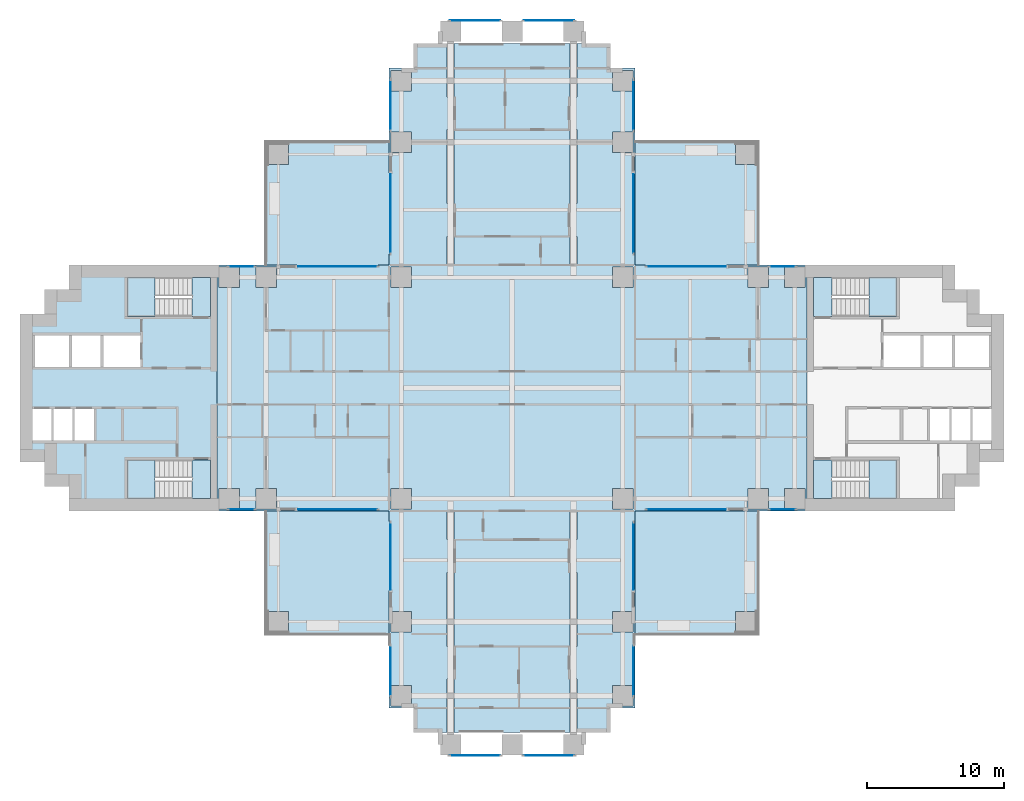
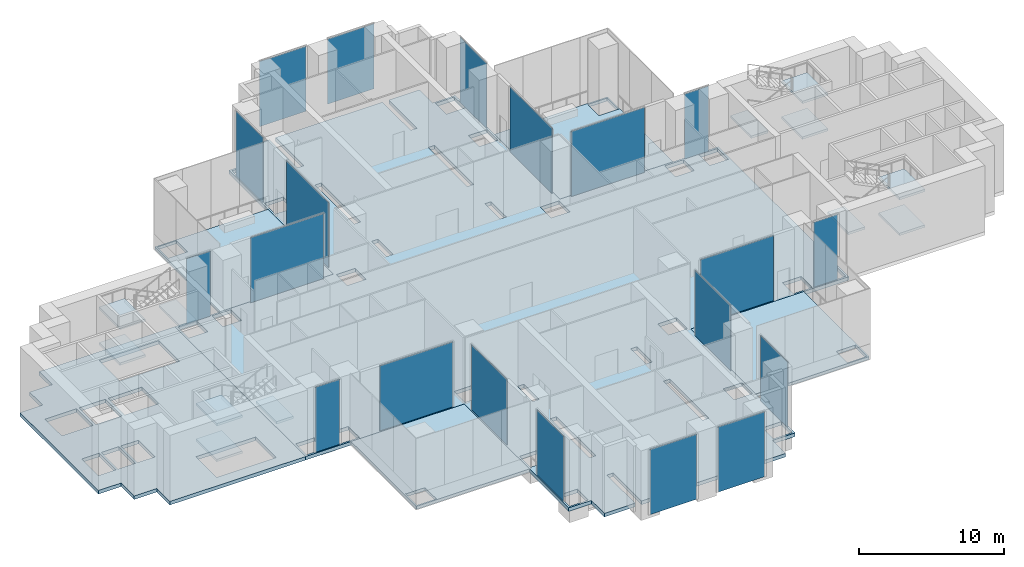
# One storey, part 6 of 17: 20 plates, 18 slabs, 24 elements without a shape of their own.
"""IFC4 building model written with IfcOpenShell, lengths in metres."""

from ifc_helpers import new_model, si_unit, direction, frame, origin, origin_2d, place, context, subcontext, project, spatial, polyline, rectangle, outline, extrude, material, layer, layer_set, type_object, element, aggregate, save


model = new_model("IFC4")

# Units and contexts
model_context = context("Model", 3, precision=1e-05, world=origin(), true_north=direction((0.0, 1.0)))
body_context = subcontext(model_context, "Body", "Model", "MODEL_VIEW")
ifc_project = project(units=[si_unit("LENGTHUNIT", "METRE"), si_unit("AREAUNIT", "SQUARE_METRE"), si_unit("VOLUMEUNIT", "CUBIC_METRE"), si_unit("PLANEANGLEUNIT", "RADIAN"), si_unit("MASSUNIT", "GRAM", prefix="KILO")], contexts=[model_context])

# Site, building, storey
site_placement = place(None, origin())
site = spatial("IfcSite", under=ifc_project, at=site_placement, CompositionType="ELEMENT")
building_placement = place(site_placement, origin())
building = spatial("IfcBuilding", under=site, at=building_placement, Name="Perihelion Cross Residences", CompositionType="ELEMENT")
storey_placement = place(building_placement, frame((0.0, 0.0, 21.0)))
storey = spatial("IfcBuildingStorey", under=building, at=storey_placement, Name="L02", CompositionType="ELEMENT", Elevation=21.0)

# Curtain wall, plate
ifc_material_1 = material(Name="Bronze anodised aluminium, tinted glazing", Category="aluminium")
curtain_wall_type = type_object("IfcCurtainWallType", Name="CW2", PredefinedType="NOTDEFINED", material=ifc_material_1)
curtain_wall_1_placement = place(storey_placement, origin())
curtain_wall_1 = element("IfcCurtainWall", 1, at=curtain_wall_1_placement, inside=storey, type_object=curtain_wall_type, Name="Curtain wall CW2 L02 east side north bay 1", PredefinedType="NOTDEFINED")
ifc_material_2 = material(Name="Tinted laminated glass", Category="glass")
ifc_layer_1 = layer(ifc_material_2, 0.033935546875)
ifc_layer_set_1 = layer_set([ifc_layer_1], Name="CW2 panel")
plate_type = type_object("IfcPlateType", Name="CW2 panel", PredefinedType="CURTAIN_PANEL", material=ifc_layer_set_1)
plate_1_placement = place(storey_placement, frame((19.800048828125, 8.889892578125, 0.0), z_axis=(0.0, 0.0, 1.0), x_axis=(-1.0, 0.0, 0.0)))
plate_1 = element("IfcPlate", 2, at=plate_1_placement, type_object=plate_type, Name="CW2 panel 1", PredefinedType="CURTAIN_PANEL", context=body_context, shape_type="SweptSolid", body=[
    extrude(rectangle(XDim=1.89990234375, YDim=0.033935546875, at=origin_2d()), origin(), (0.0, 0.0, 1.0), 5.469970703125),
])
aggregate(curtain_wall_1, [plate_1])

curtain_wall_2_placement = place(storey_placement, origin())
curtain_wall_2 = element("IfcCurtainWall", 3, at=curtain_wall_2_placement, inside=storey, type_object=curtain_wall_type, Name="Curtain wall CW2 L02 east side north bay 2", PredefinedType="NOTDEFINED")
plate_2_placement = place(storey_placement, frame((12.75, 8.889892578125, 0.0), z_axis=(0.0, 0.0, 1.0), x_axis=(-1.0, 0.0, 0.0)))
plate_2 = element("IfcPlate", 4, at=plate_2_placement, type_object=plate_type, Name="CW2 panel 1", PredefinedType="CURTAIN_PANEL", context=body_context, shape_type="SweptSolid", body=[
    extrude(rectangle(XDim=5.800048828125, YDim=0.033935546875, at=origin_2d()), origin(), (0.0, 0.0, 1.0), 5.469970703125),
])
aggregate(curtain_wall_2, [plate_2])

curtain_wall_3_placement = place(storey_placement, origin())
curtain_wall_3 = element("IfcCurtainWall", 5, at=curtain_wall_3_placement, inside=storey, type_object=curtain_wall_type, Name="Curtain wall CW2 L02 north side east bay 1", PredefinedType="NOTDEFINED")
plate_3_placement = place(storey_placement, frame((8.889892578125, 12.75, 0.0), z_axis=(0.0, 0.0, 1.0), x_axis=(0.0, 1.0, 0.0)))
plate_3 = element("IfcPlate", 6, at=plate_3_placement, type_object=plate_type, Name="CW2 panel 1", PredefinedType="CURTAIN_PANEL", context=body_context, shape_type="SweptSolid", body=[
    extrude(rectangle(XDim=5.800048828125, YDim=0.033935546875, at=origin_2d()), origin(), (0.0, 0.0, 1.0), 5.469970703125),
])
aggregate(curtain_wall_3, [plate_3])

curtain_wall_4_placement = place(storey_placement, origin())
curtain_wall_4 = element("IfcCurtainWall", 7, at=curtain_wall_4_placement, inside=storey, type_object=curtain_wall_type, Name="Curtain wall CW2 L02 north side east bay 2", PredefinedType="NOTDEFINED")
plate_4_placement = place(storey_placement, frame((8.889892578125, 20.699951171875, 0.0), z_axis=(0.0, 0.0, 1.0), x_axis=(0.0, 1.0, 0.0)))
plate_4 = element("IfcPlate", 8, at=plate_4_placement, type_object=plate_type, Name="CW2 panel 1", PredefinedType="CURTAIN_PANEL", context=body_context, shape_type="SweptSolid", body=[
    extrude(rectangle(XDim=3.699951171875, YDim=0.033935546875, at=origin_2d()), origin(), (0.0, 0.0, 1.0), 5.469970703125),
])
aggregate(curtain_wall_4, [plate_4])

curtain_wall_5_placement = place(storey_placement, origin())
curtain_wall_5 = element("IfcCurtainWall", 9, at=curtain_wall_5_placement, inside=storey, type_object=curtain_wall_type, Name="Curtain wall CW2 L02 north tip north bay 1", PredefinedType="NOTDEFINED")
plate_5_placement = place(storey_placement, frame((2.699951171875, 26.889892578125, 0.0), z_axis=(0.0, 0.0, 1.0), x_axis=(-1.0, 0.0, 0.0)))
plate_5 = element("IfcPlate", 10, at=plate_5_placement, type_object=plate_type, Name="CW2 panel 1", PredefinedType="CURTAIN_PANEL", context=body_context, shape_type="SweptSolid", body=[
    extrude(rectangle(XDim=3.699951171875, YDim=0.033935546875, at=origin_2d()), origin(), (0.0, 0.0, 1.0), 5.469970703125),
])
aggregate(curtain_wall_5, [plate_5])

curtain_wall_6_placement = place(storey_placement, origin())
curtain_wall_6 = element("IfcCurtainWall", 11, at=curtain_wall_6_placement, inside=storey, type_object=curtain_wall_type, Name="Curtain wall CW2 L02 north tip north bay 2", PredefinedType="NOTDEFINED")
plate_6_placement = place(storey_placement, frame((-2.699951171875, 26.889892578125, 0.0), z_axis=(0.0, 0.0, 1.0), x_axis=(-1.0, 0.0, 0.0)))
plate_6 = element("IfcPlate", 12, at=plate_6_placement, type_object=plate_type, Name="CW2 panel 1", PredefinedType="CURTAIN_PANEL", context=body_context, shape_type="SweptSolid", body=[
    extrude(rectangle(XDim=3.699951171875, YDim=0.033935546875, at=origin_2d()), origin(), (0.0, 0.0, 1.0), 5.469970703125),
])
aggregate(curtain_wall_6, [plate_6])

curtain_wall_7_placement = place(storey_placement, origin())
curtain_wall_7 = element("IfcCurtainWall", 13, at=curtain_wall_7_placement, inside=storey, type_object=curtain_wall_type, Name="Curtain wall CW2 L02 north side west bay 1", PredefinedType="NOTDEFINED")
plate_7_placement = place(storey_placement, frame((-8.889892578125, 20.699951171875, 0.0), z_axis=(0.0, 0.0, 1.0), x_axis=(0.0, -1.0, 0.0)))
plate_7 = element("IfcPlate", 14, at=plate_7_placement, type_object=plate_type, Name="CW2 panel 1", PredefinedType="CURTAIN_PANEL", context=body_context, shape_type="SweptSolid", body=[
    extrude(rectangle(XDim=3.699951171875, YDim=0.033935546875, at=origin_2d()), origin(), (0.0, 0.0, 1.0), 5.469970703125),
])
aggregate(curtain_wall_7, [plate_7])

curtain_wall_8_placement = place(storey_placement, origin())
curtain_wall_8 = element("IfcCurtainWall", 15, at=curtain_wall_8_placement, inside=storey, type_object=curtain_wall_type, Name="Curtain wall CW2 L02 north side west bay 2", PredefinedType="NOTDEFINED")
plate_8_placement = place(storey_placement, frame((-8.889892578125, 12.75, 0.0), z_axis=(0.0, 0.0, 1.0), x_axis=(0.0, -1.0, 0.0)))
plate_8 = element("IfcPlate", 16, at=plate_8_placement, type_object=plate_type, Name="CW2 panel 1", PredefinedType="CURTAIN_PANEL", context=body_context, shape_type="SweptSolid", body=[
    extrude(rectangle(XDim=5.800048828125, YDim=0.033935546875, at=origin_2d()), origin(), (0.0, 0.0, 1.0), 5.469970703125),
])
aggregate(curtain_wall_8, [plate_8])

curtain_wall_9_placement = place(storey_placement, origin())
curtain_wall_9 = element("IfcCurtainWall", 17, at=curtain_wall_9_placement, inside=storey, type_object=curtain_wall_type, Name="Curtain wall CW2 L02 west side north bay 1", PredefinedType="NOTDEFINED")
plate_9_placement = place(storey_placement, frame((-12.75, 8.889892578125, 0.0), z_axis=(0.0, 0.0, 1.0), x_axis=(-1.0, 0.0, 0.0)))
plate_9 = element("IfcPlate", 18, at=plate_9_placement, type_object=plate_type, Name="CW2 panel 1", PredefinedType="CURTAIN_PANEL", context=body_context, shape_type="SweptSolid", body=[
    extrude(rectangle(XDim=5.800048828125, YDim=0.033935546875, at=origin_2d()), origin(), (0.0, 0.0, 1.0), 5.469970703125),
])
aggregate(curtain_wall_9, [plate_9])

curtain_wall_10_placement = place(storey_placement, origin())
curtain_wall_10 = element("IfcCurtainWall", 19, at=curtain_wall_10_placement, inside=storey, type_object=curtain_wall_type, Name="Curtain wall CW2 L02 west side north bay 2", PredefinedType="NOTDEFINED")
plate_10_placement = place(storey_placement, frame((-19.800048828125, 8.889892578125, 0.0), z_axis=(0.0, 0.0, 1.0), x_axis=(-1.0, 0.0, 0.0)))
plate_10 = element("IfcPlate", 20, at=plate_10_placement, type_object=plate_type, Name="CW2 panel 1", PredefinedType="CURTAIN_PANEL", context=body_context, shape_type="SweptSolid", body=[
    extrude(rectangle(XDim=1.89990234375, YDim=0.033935546875, at=origin_2d()), origin(), (0.0, 0.0, 1.0), 5.469970703125),
])
aggregate(curtain_wall_10, [plate_10])

curtain_wall_11_placement = place(storey_placement, origin())
curtain_wall_11 = element("IfcCurtainWall", 21, at=curtain_wall_11_placement, inside=storey, type_object=curtain_wall_type, Name="Curtain wall CW2 L02 west side south bay 1", PredefinedType="NOTDEFINED")
plate_11_placement = place(storey_placement, frame((-19.800048828125, -8.889892578125, 0.0), z_axis=(0.0, 0.0, 1.0), x_axis=(1.0, 0.0, 0.0)))
plate_11 = element("IfcPlate", 22, at=plate_11_placement, type_object=plate_type, Name="CW2 panel 1", PredefinedType="CURTAIN_PANEL", context=body_context, shape_type="SweptSolid", body=[
    extrude(rectangle(XDim=1.89990234375, YDim=0.033935546875, at=origin_2d()), origin(), (0.0, 0.0, 1.0), 5.469970703125),
])
aggregate(curtain_wall_11, [plate_11])

curtain_wall_12_placement = place(storey_placement, origin())
curtain_wall_12 = element("IfcCurtainWall", 23, at=curtain_wall_12_placement, inside=storey, type_object=curtain_wall_type, Name="Curtain wall CW2 L02 west side south bay 2", PredefinedType="NOTDEFINED")
plate_12_placement = place(storey_placement, frame((-12.75, -8.889892578125, 0.0), z_axis=(0.0, 0.0, 1.0), x_axis=(1.0, 0.0, 0.0)))
plate_12 = element("IfcPlate", 24, at=plate_12_placement, type_object=plate_type, Name="CW2 panel 1", PredefinedType="CURTAIN_PANEL", context=body_context, shape_type="SweptSolid", body=[
    extrude(rectangle(XDim=5.800048828125, YDim=0.033935546875, at=origin_2d()), origin(), (0.0, 0.0, 1.0), 5.469970703125),
])
aggregate(curtain_wall_12, [plate_12])

curtain_wall_13_placement = place(storey_placement, origin())
curtain_wall_13 = element("IfcCurtainWall", 25, at=curtain_wall_13_placement, inside=storey, type_object=curtain_wall_type, Name="Curtain wall CW2 L02 south side west bay 1", PredefinedType="NOTDEFINED")
plate_13_placement = place(storey_placement, frame((-8.889892578125, -12.300048828125, 0.0), z_axis=(0.0, 0.0, 1.0), x_axis=(0.0, -1.0, 0.0)))
plate_13 = element("IfcPlate", 26, at=plate_13_placement, type_object=plate_type, Name="CW2 panel 1", PredefinedType="CURTAIN_PANEL", context=body_context, shape_type="SweptSolid", body=[
    extrude(rectangle(XDim=4.89990234375, YDim=0.033935546875, at=origin_2d()), origin(), (0.0, 0.0, 1.0), 5.469970703125),
])
aggregate(curtain_wall_13, [plate_13])

curtain_wall_14_placement = place(storey_placement, origin())
curtain_wall_14 = element("IfcCurtainWall", 27, at=curtain_wall_14_placement, inside=storey, type_object=curtain_wall_type, Name="Curtain wall CW2 L02 south side west bay 2", PredefinedType="NOTDEFINED")
plate_14_placement = place(storey_placement, frame((-8.889892578125, -20.699951171875, 0.0), z_axis=(0.0, 0.0, 1.0), x_axis=(0.0, -1.0, 0.0)))
plate_14 = element("IfcPlate", 28, at=plate_14_placement, type_object=plate_type, Name="CW2 panel 1", PredefinedType="CURTAIN_PANEL", context=body_context, shape_type="SweptSolid", body=[
    extrude(rectangle(XDim=3.699951171875, YDim=0.033935546875, at=origin_2d()), origin(), (0.0, 0.0, 1.0), 5.469970703125),
])
aggregate(curtain_wall_14, [plate_14])

curtain_wall_15_placement = place(storey_placement, origin())
curtain_wall_15 = element("IfcCurtainWall", 29, at=curtain_wall_15_placement, inside=storey, type_object=curtain_wall_type, Name="Curtain wall CW2 L02 south tip south bay 1", PredefinedType="NOTDEFINED")
plate_15_placement = place(storey_placement, frame((-2.699951171875, -26.889892578125, 0.0), z_axis=(0.0, 0.0, 1.0), x_axis=(1.0, 0.0, 0.0)))
plate_15 = element("IfcPlate", 30, at=plate_15_placement, type_object=plate_type, Name="CW2 panel 1", PredefinedType="CURTAIN_PANEL", context=body_context, shape_type="SweptSolid", body=[
    extrude(rectangle(XDim=3.699951171875, YDim=0.033935546875, at=origin_2d()), origin(), (0.0, 0.0, 1.0), 5.469970703125),
])
aggregate(curtain_wall_15, [plate_15])

curtain_wall_16_placement = place(storey_placement, origin())
curtain_wall_16 = element("IfcCurtainWall", 31, at=curtain_wall_16_placement, inside=storey, type_object=curtain_wall_type, Name="Curtain wall CW2 L02 south tip south bay 2", PredefinedType="NOTDEFINED")
plate_16_placement = place(storey_placement, frame((2.699951171875, -26.889892578125, 0.0), z_axis=(0.0, 0.0, 1.0), x_axis=(1.0, 0.0, 0.0)))
plate_16 = element("IfcPlate", 32, at=plate_16_placement, type_object=plate_type, Name="CW2 panel 1", PredefinedType="CURTAIN_PANEL", context=body_context, shape_type="SweptSolid", body=[
    extrude(rectangle(XDim=3.699951171875, YDim=0.033935546875, at=origin_2d()), origin(), (0.0, 0.0, 1.0), 5.469970703125),
])
aggregate(curtain_wall_16, [plate_16])

curtain_wall_17_placement = place(storey_placement, origin())
curtain_wall_17 = element("IfcCurtainWall", 33, at=curtain_wall_17_placement, inside=storey, type_object=curtain_wall_type, Name="Curtain wall CW2 L02 south side east bay 1", PredefinedType="NOTDEFINED")
plate_17_placement = place(storey_placement, frame((8.889892578125, -20.699951171875, 0.0), z_axis=(0.0, 0.0, 1.0), x_axis=(0.0, 1.0, 0.0)))
plate_17 = element("IfcPlate", 34, at=plate_17_placement, type_object=plate_type, Name="CW2 panel 1", PredefinedType="CURTAIN_PANEL", context=body_context, shape_type="SweptSolid", body=[
    extrude(rectangle(XDim=3.699951171875, YDim=0.033935546875, at=origin_2d()), origin(), (0.0, 0.0, 1.0), 5.469970703125),
])
aggregate(curtain_wall_17, [plate_17])

curtain_wall_18_placement = place(storey_placement, origin())
curtain_wall_18 = element("IfcCurtainWall", 35, at=curtain_wall_18_placement, inside=storey, type_object=curtain_wall_type, Name="Curtain wall CW2 L02 south side east bay 2", PredefinedType="NOTDEFINED")
plate_18_placement = place(storey_placement, frame((8.889892578125, -12.300048828125, 0.0), z_axis=(0.0, 0.0, 1.0), x_axis=(0.0, 1.0, 0.0)))
plate_18 = element("IfcPlate", 36, at=plate_18_placement, type_object=plate_type, Name="CW2 panel 1", PredefinedType="CURTAIN_PANEL", context=body_context, shape_type="SweptSolid", body=[
    extrude(rectangle(XDim=4.89990234375, YDim=0.033935546875, at=origin_2d()), origin(), (0.0, 0.0, 1.0), 5.469970703125),
])
aggregate(curtain_wall_18, [plate_18])

curtain_wall_19_placement = place(storey_placement, origin())
curtain_wall_19 = element("IfcCurtainWall", 37, at=curtain_wall_19_placement, inside=storey, type_object=curtain_wall_type, Name="Curtain wall CW2 L02 east side south bay 1", PredefinedType="NOTDEFINED")
plate_19_placement = place(storey_placement, frame((12.75, -8.889892578125, 0.0), z_axis=(0.0, 0.0, 1.0), x_axis=(1.0, 0.0, 0.0)))
plate_19 = element("IfcPlate", 38, at=plate_19_placement, type_object=plate_type, Name="CW2 panel 1", PredefinedType="CURTAIN_PANEL", context=body_context, shape_type="SweptSolid", body=[
    extrude(rectangle(XDim=5.800048828125, YDim=0.033935546875, at=origin_2d()), origin(), (0.0, 0.0, 1.0), 5.469970703125),
])
aggregate(curtain_wall_19, [plate_19])

curtain_wall_20_placement = place(storey_placement, origin())
curtain_wall_20 = element("IfcCurtainWall", 39, at=curtain_wall_20_placement, inside=storey, type_object=curtain_wall_type, Name="Curtain wall CW2 L02 east side south bay 2", PredefinedType="NOTDEFINED")
plate_20_placement = place(storey_placement, frame((19.800048828125, -8.889892578125, 0.0), z_axis=(0.0, 0.0, 1.0), x_axis=(1.0, 0.0, 0.0)))
plate_20 = element("IfcPlate", 40, at=plate_20_placement, type_object=plate_type, Name="CW2 panel 1", PredefinedType="CURTAIN_PANEL", context=body_context, shape_type="SweptSolid", body=[
    extrude(rectangle(XDim=1.89990234375, YDim=0.033935546875, at=origin_2d()), origin(), (0.0, 0.0, 1.0), 5.469970703125),
])
aggregate(curtain_wall_20, [plate_20])

# Slabs
ifc_material_3 = material(Name="Concrete C40/50", Category="concrete")
ifc_layer_2 = layer(ifc_material_3, 0.300048828125)
ifc_layer_set_2 = layer_set([ifc_layer_2], Name="Core floor slab 300")
slab_type_1 = type_object("IfcSlabType", Name="Core floor slab 300", PredefinedType="FLOOR", material=ifc_layer_set_2)
slab_1_placement = place(storey_placement, frame((0.0, 0.0, -0.300048828125)))
element("IfcSlab", 41, at=slab_1_placement, inside=storey, type_object=slab_type_1, Name="West core floor slab", PredefinedType="FLOOR", context=body_context, shape_type="SweptSolid", body=[
    extrude(outline(polyline([(-32.39990234375, 7.199951171875), (-34.199951171875, 7.199951171875), (-34.199951171875, 5.39990234375), (-36.0, 5.39990234375), (-36.0, -5.39990234375), (-34.199951171875, -5.39990234375), (-34.199951171875, -7.199951171875), (-32.39990234375, -7.199951171875), (-32.39990234375, -9.0), (-21.60009765625, -9.0), (-21.60009765625, 9.0), (-32.39990234375, 9.0), (-32.39990234375, 7.199951171875)]), holes=[polyline([(-23.405029296875, -8.10009765625), (-28.14990234375, -8.10009765625), (-28.14990234375, -5.25), (-23.405029296875, -5.25), (-23.405029296875, -8.10009765625)]), polyline([(-30.60009765625, -1.550048828125), (-30.60009765625, -3.85009765625), (-32.0, -3.85009765625), (-32.0, -1.550048828125), (-30.60009765625, -1.550048828125)]), polyline([(-32.14990234375, -1.550048828125), (-32.14990234375, -3.85009765625), (-33.550048828125, -3.85009765625), (-33.550048828125, -1.550048828125), (-32.14990234375, -1.550048828125)]), polyline([(-33.699951171875, -1.550048828125), (-33.699951171875, -3.85009765625), (-35.10009765625, -3.85009765625), (-35.10009765625, -1.550048828125), (-33.699951171875, -1.550048828125)]), polyline([(-27.199951171875, 3.85009765625), (-27.199951171875, 1.550048828125), (-29.89990234375, 1.550048828125), (-29.89990234375, 3.85009765625), (-27.199951171875, 3.85009765625)]), polyline([(-30.10009765625, 3.85009765625), (-30.10009765625, 1.550048828125), (-32.199951171875, 1.550048828125), (-32.199951171875, 3.85009765625), (-30.10009765625, 3.85009765625)]), polyline([(-32.39990234375, 3.85009765625), (-32.39990234375, 1.550048828125), (-34.89990234375, 1.550048828125), (-34.89990234375, 3.85009765625), (-32.39990234375, 3.85009765625)]), polyline([(-23.405029296875, 5.25), (-28.14990234375, 5.25), (-28.14990234375, 8.10009765625), (-23.405029296875, 8.10009765625), (-23.405029296875, 5.25)])]), origin(), (0.0, 0.0, 1.0), 0.300048828125),
])
ifc_material_4 = material(Name="Concrete C40/50", Category="concrete")
ifc_layer_3 = layer(ifc_material_4, 0.25)
ifc_layer_set_3 = layer_set([ifc_layer_3], Name="Corner terrace slab")
slab_type_2 = type_object("IfcSlabType", Name="Corner terrace slab", PredefinedType="FLOOR", material=ifc_layer_set_3)
slab_2_placement = place(storey_placement, frame((0.0, 0.0, -0.25)))
element("IfcSlab", 42, at=slab_2_placement, inside=storey, type_object=slab_type_2, Name="Slab BK2 L02 pocket north-east", PredefinedType="FLOOR", context=body_context, shape_type="SweptSolid", body=[
    extrude(outline(polyline([(18.0, 9.0), (18.0, 18.0), (9.0, 18.0), (9.0, 9.0), (18.0, 9.0)]), holes=[polyline([(16.35009765625, 16.35009765625), (16.35009765625, 17.889892578125), (17.889892578125, 17.889892578125), (17.889892578125, 16.31005859375), (17.85009765625, 16.31005859375), (17.85009765625, 16.35009765625), (16.35009765625, 16.35009765625)])]), origin(), (0.0, 0.0, 1.0), 0.25),
])
slab_3_placement = place(storey_placement, frame((0.0, 0.0, -0.25)))
element("IfcSlab", 43, at=slab_3_placement, inside=storey, type_object=slab_type_2, Name="Slab BK2 L02 pocket north-west", PredefinedType="FLOOR", context=body_context, shape_type="SweptSolid", body=[
    extrude(outline(polyline([(-9.0, 9.0), (-9.0, 18.0), (-18.0, 18.0), (-18.0, 9.0), (-9.0, 9.0)]), holes=[polyline([(-17.85009765625, 16.31005859375), (-17.889892578125, 16.31005859375), (-17.889892578125, 17.889892578125), (-16.35009765625, 17.889892578125), (-16.35009765625, 16.35009765625), (-17.85009765625, 16.35009765625), (-17.85009765625, 16.31005859375)])]), origin(), (0.0, 0.0, 1.0), 0.25),
])
slab_4_placement = place(storey_placement, frame((0.0, 0.0, -0.25)))
element("IfcSlab", 44, at=slab_4_placement, inside=storey, type_object=slab_type_2, Name="Slab BK2 L02 pocket south-west", PredefinedType="FLOOR", context=body_context, shape_type="SweptSolid", body=[
    extrude(outline(polyline([(-9.0, -18.0), (-9.0, -9.0), (-18.0, -9.0), (-18.0, -18.0), (-9.0, -18.0)]), holes=[polyline([(-16.35009765625, -17.889892578125), (-17.889892578125, -17.889892578125), (-17.889892578125, -16.31005859375), (-17.85009765625, -16.31005859375), (-17.85009765625, -16.35009765625), (-16.35009765625, -16.35009765625), (-16.35009765625, -17.889892578125)])]), origin(), (0.0, 0.0, 1.0), 0.25),
])
slab_5_placement = place(storey_placement, frame((0.0, 0.0, -0.25)))
element("IfcSlab", 45, at=slab_5_placement, inside=storey, type_object=slab_type_2, Name="Slab BK2 L02 pocket south-east", PredefinedType="FLOOR", context=body_context, shape_type="SweptSolid", body=[
    extrude(outline(polyline([(18.0, -18.0), (18.0, -9.0), (9.0, -9.0), (9.0, -18.0), (18.0, -18.0)]), holes=[polyline([(16.35009765625, -17.889892578125), (16.35009765625, -16.35009765625), (17.85009765625, -16.35009765625), (17.85009765625, -16.31005859375), (17.889892578125, -16.31005859375), (17.889892578125, -17.889892578125), (16.35009765625, -17.889892578125)])]), origin(), (0.0, 0.0, 1.0), 0.25),
])

# Stair, slabs
ifc_material_5 = material(Name="Concrete C40/50", Category="concrete")
stair_type = type_object("IfcStairType", Name="Exit stair, half-turn", PredefinedType="HALF_TURN_STAIR", material=ifc_material_5)
stair_1_placement = place(storey_placement, origin())
stair_1 = element("IfcStair", 46, at=stair_1_placement, inside=storey, type_object=stair_type, Name="L02 East core exit stair 1", PredefinedType="HALF_TURN_STAIR")
ifc_material_6 = material(Name="Concrete C40/50", Category="concrete")
ifc_layer_4 = layer(ifc_material_6, 0.199951171875)
ifc_layer_set_4 = layer_set([ifc_layer_4], Name="Exit stair landing 200")
slab_type_3 = type_object("IfcSlabType", Name="Exit stair landing 200", PredefinedType="LANDING", material=ifc_layer_set_4)
slab_6_placement = place(storey_placement, frame((0.0, 0.0, 1.300048828125)))
slab_6 = element("IfcSlab", 47, at=slab_6_placement, type_object=slab_type_3, Name="ST-E1 landing 1", PredefinedType="LANDING", context=body_context, shape_type="SweptSolid", body=[
    extrude(outline(polyline([(26.1201171875, 5.25), (28.14990234375, 5.25), (28.14990234375, 8.10009765625), (26.1201171875, 8.10009765625), (26.1201171875, 5.25)])), origin(), (0.0, 0.0, 1.0), 0.199951171875),
])
slab_7_placement = place(storey_placement, frame((0.0, 0.0, 2.800048828125)))
slab_7 = element("IfcSlab", 48, at=slab_7_placement, type_object=slab_type_3, Name="ST-E1 landing 2", PredefinedType="LANDING", context=body_context, shape_type="SweptSolid", body=[
    extrude(outline(polyline([(22.050048828125, 5.25), (23.39990234375, 5.25), (23.39990234375, 8.10009765625), (22.050048828125, 8.10009765625), (22.050048828125, 5.25)])), origin(), (0.0, 0.0, 1.0), 0.199951171875),
])
slab_8_placement = place(storey_placement, frame((0.0, 0.0, 4.300048828125)))
slab_8 = element("IfcSlab", 49, at=slab_8_placement, type_object=slab_type_3, Name="ST-E1 landing 3", PredefinedType="LANDING", context=body_context, shape_type="SweptSolid", body=[
    extrude(outline(polyline([(26.1201171875, 5.25), (28.14990234375, 5.25), (28.14990234375, 8.10009765625), (26.1201171875, 8.10009765625), (26.1201171875, 5.25)])), origin(), (0.0, 0.0, 1.0), 0.199951171875),
])
aggregate(stair_1, [slab_6, slab_7, slab_8])

stair_2_placement = place(storey_placement, origin())
stair_2 = element("IfcStair", 50, at=stair_2_placement, inside=storey, type_object=stair_type, Name="L02 East core exit stair 2", PredefinedType="HALF_TURN_STAIR")
slab_9_placement = place(storey_placement, frame((0.0, 0.0, 1.300048828125)))
slab_9 = element("IfcSlab", 51, at=slab_9_placement, type_object=slab_type_3, Name="ST-E2 landing 1", PredefinedType="LANDING", context=body_context, shape_type="SweptSolid", body=[
    extrude(outline(polyline([(26.1201171875, -8.10009765625), (28.14990234375, -8.10009765625), (28.14990234375, -5.25), (26.1201171875, -5.25), (26.1201171875, -8.10009765625)])), origin(), (0.0, 0.0, 1.0), 0.199951171875),
])
slab_10_placement = place(storey_placement, frame((0.0, 0.0, 2.800048828125)))
slab_10 = element("IfcSlab", 52, at=slab_10_placement, type_object=slab_type_3, Name="ST-E2 landing 2", PredefinedType="LANDING", context=body_context, shape_type="SweptSolid", body=[
    extrude(outline(polyline([(22.050048828125, -8.10009765625), (23.39990234375, -8.10009765625), (23.39990234375, -5.25), (22.050048828125, -5.25), (22.050048828125, -8.10009765625)])), origin(), (0.0, 0.0, 1.0), 0.199951171875),
])
slab_11_placement = place(storey_placement, frame((0.0, 0.0, 4.300048828125)))
slab_11 = element("IfcSlab", 53, at=slab_11_placement, type_object=slab_type_3, Name="ST-E2 landing 3", PredefinedType="LANDING", context=body_context, shape_type="SweptSolid", body=[
    extrude(outline(polyline([(26.1201171875, -8.10009765625), (28.14990234375, -8.10009765625), (28.14990234375, -5.25), (26.1201171875, -5.25), (26.1201171875, -8.10009765625)])), origin(), (0.0, 0.0, 1.0), 0.199951171875),
])
aggregate(stair_2, [slab_9, slab_10, slab_11])

stair_3_placement = place(storey_placement, origin())
stair_3 = element("IfcStair", 54, at=stair_3_placement, inside=storey, type_object=stair_type, Name="L02 West core exit stair 1", PredefinedType="HALF_TURN_STAIR")
slab_12_placement = place(storey_placement, frame((0.0, 0.0, 1.300048828125)))
slab_12 = element("IfcSlab", 55, at=slab_12_placement, type_object=slab_type_3, Name="ST-W1 landing 1", PredefinedType="LANDING", context=body_context, shape_type="SweptSolid", body=[
    extrude(outline(polyline([(-26.1201171875, 8.10009765625), (-28.14990234375, 8.10009765625), (-28.14990234375, 5.25), (-26.1201171875, 5.25), (-26.1201171875, 8.10009765625)])), origin(), (0.0, 0.0, 1.0), 0.199951171875),
])
slab_13_placement = place(storey_placement, frame((0.0, 0.0, 2.800048828125)))
slab_13 = element("IfcSlab", 56, at=slab_13_placement, type_object=slab_type_3, Name="ST-W1 landing 2", PredefinedType="LANDING", context=body_context, shape_type="SweptSolid", body=[
    extrude(outline(polyline([(-22.050048828125, 8.10009765625), (-23.39990234375, 8.10009765625), (-23.39990234375, 5.25), (-22.050048828125, 5.25), (-22.050048828125, 8.10009765625)])), origin(), (0.0, 0.0, 1.0), 0.199951171875),
])
slab_14_placement = place(storey_placement, frame((0.0, 0.0, 4.300048828125)))
slab_14 = element("IfcSlab", 57, at=slab_14_placement, type_object=slab_type_3, Name="ST-W1 landing 3", PredefinedType="LANDING", context=body_context, shape_type="SweptSolid", body=[
    extrude(outline(polyline([(-26.1201171875, 8.10009765625), (-28.14990234375, 8.10009765625), (-28.14990234375, 5.25), (-26.1201171875, 5.25), (-26.1201171875, 8.10009765625)])), origin(), (0.0, 0.0, 1.0), 0.199951171875),
])
aggregate(stair_3, [slab_12, slab_13, slab_14])

stair_4_placement = place(storey_placement, origin())
stair_4 = element("IfcStair", 58, at=stair_4_placement, inside=storey, type_object=stair_type, Name="L02 West core exit stair 2", PredefinedType="HALF_TURN_STAIR")
slab_15_placement = place(storey_placement, frame((0.0, 0.0, 1.300048828125)))
slab_15 = element("IfcSlab", 59, at=slab_15_placement, type_object=slab_type_3, Name="ST-W2 landing 1", PredefinedType="LANDING", context=body_context, shape_type="SweptSolid", body=[
    extrude(outline(polyline([(-26.1201171875, -5.25), (-28.14990234375, -5.25), (-28.14990234375, -8.10009765625), (-26.1201171875, -8.10009765625), (-26.1201171875, -5.25)])), origin(), (0.0, 0.0, 1.0), 0.199951171875),
])
slab_16_placement = place(storey_placement, frame((0.0, 0.0, 2.800048828125)))
slab_16 = element("IfcSlab", 60, at=slab_16_placement, type_object=slab_type_3, Name="ST-W2 landing 2", PredefinedType="LANDING", context=body_context, shape_type="SweptSolid", body=[
    extrude(outline(polyline([(-22.050048828125, -5.25), (-23.39990234375, -5.25), (-23.39990234375, -8.10009765625), (-22.050048828125, -8.10009765625), (-22.050048828125, -5.25)])), origin(), (0.0, 0.0, 1.0), 0.199951171875),
])
slab_17_placement = place(storey_placement, frame((0.0, 0.0, 4.300048828125)))
slab_17 = element("IfcSlab", 61, at=slab_17_placement, type_object=slab_type_3, Name="ST-W2 landing 3", PredefinedType="LANDING", context=body_context, shape_type="SweptSolid", body=[
    extrude(outline(polyline([(-26.1201171875, -5.25), (-28.14990234375, -5.25), (-28.14990234375, -8.10009765625), (-26.1201171875, -8.10009765625), (-26.1201171875, -5.25)])), origin(), (0.0, 0.0, 1.0), 0.199951171875),
])
aggregate(stair_4, [slab_15, slab_16, slab_17])

# Slab
ifc_material_7 = material(Name="Concrete C50/60", Category="concrete")
ifc_layer_5 = layer(ifc_material_7, 0.300048828125)
ifc_layer_set_5 = layer_set([ifc_layer_5], Name="Podium post-tensioned slab concrete C50/60")
slab_type_4 = type_object("IfcSlabType", Name="Podium post-tensioned slab concrete C50/60", PredefinedType="FLOOR", material=ifc_layer_set_5)
slab_18_placement = place(storey_placement, frame((0.0, 0.0, -0.300048828125)))
element("IfcSlab", 62, at=slab_18_placement, inside=storey, type_object=slab_type_4, Name="Slab SL6 L02 1 no. 1", PredefinedType="FLOOR", context=body_context, shape_type="SweptSolid", body=[
    extrude(outline(polyline([(7.199951171875, 23.39990234375), (9.0, 23.39990234375), (9.0, 9.0), (21.60009765625, 9.0), (21.60009765625, -9.0), (9.0, -9.0), (9.0, -23.39990234375), (7.199951171875, -23.39990234375), (7.199951171875, -25.199951171875), (5.39990234375, -25.199951171875), (4.75, -25.199951171875), (4.75, -21.300048828125), (4.25, -21.300048828125), (4.25, -25.199951171875), (-4.25, -25.199951171875), (-4.25, -21.300048828125), (-4.75, -21.300048828125), (-4.75, -25.199951171875), (-5.39990234375, -25.199951171875), (-7.199951171875, -25.199951171875), (-7.199951171875, -23.39990234375), (-9.0, -23.39990234375), (-9.0, -9.0), (-21.60009765625, -9.0), (-21.60009765625, 9.0), (-9.0, 9.0), (-9.0, 23.39990234375), (-7.199951171875, 23.39990234375), (-7.199951171875, 25.199951171875), (-5.39990234375, 25.199951171875), (-4.75, 25.199951171875), (-4.75, 21.300048828125), (-4.25, 21.300048828125), (-4.25, 25.199951171875), (4.25, 25.199951171875), (4.25, 21.300048828125), (4.75, 21.300048828125), (4.75, 25.199951171875), (5.39990234375, 25.199951171875), (7.199951171875, 25.199951171875), (7.199951171875, 23.39990234375)]), holes=[polyline([(-7.35009765625, -23.25), (-7.35009765625, -21.75), (-8.85009765625, -21.75), (-8.85009765625, -23.25), (-7.35009765625, -23.25)]), polyline([(-8.85009765625, -17.85009765625), (-7.35009765625, -17.85009765625), (-7.35009765625, -16.35009765625), (-8.85009765625, -16.35009765625), (-8.85009765625, -17.85009765625)]), polyline([(-21.449951171875, -8.85009765625), (-19.949951171875, -8.85009765625), (-19.949951171875, -7.35009765625), (-21.449951171875, -7.35009765625), (-21.449951171875, -8.85009765625)]), polyline([(-17.25, -8.85009765625), (-17.25, -7.35009765625), (-18.75, -7.35009765625), (-18.75, -8.85009765625), (-17.25, -8.85009765625)]), polyline([(-7.35009765625, -8.85009765625), (-7.35009765625, -7.35009765625), (-8.85009765625, -7.35009765625), (-8.85009765625, -8.85009765625), (-7.35009765625, -8.85009765625)]), polyline([(-21.449951171875, 7.35009765625), (-19.949951171875, 7.35009765625), (-19.949951171875, 8.85009765625), (-21.449951171875, 8.85009765625), (-21.449951171875, 7.35009765625)]), polyline([(-18.75, 7.35009765625), (-17.25, 7.35009765625), (-17.25, 8.85009765625), (-18.75, 8.85009765625), (-18.75, 7.35009765625)]), polyline([(-7.35009765625, 7.35009765625), (-7.35009765625, 8.85009765625), (-8.85009765625, 8.85009765625), (-8.85009765625, 7.35009765625), (-7.35009765625, 7.35009765625)]), polyline([(-7.35009765625, 17.25), (-7.35009765625, 18.75), (-8.85009765625, 18.75), (-8.85009765625, 17.25), (-7.35009765625, 17.25)]), polyline([(-7.35009765625, 21.75), (-7.35009765625, 23.25), (-8.85009765625, 23.25), (-8.85009765625, 21.75), (-7.35009765625, 21.75)]), polyline([(-4.25, -18.89990234375), (-4.25, -13.5), (-4.75, -13.5), (-4.75, -18.89990234375), (-4.25, -18.89990234375)]), polyline([(4.25, -18.89990234375), (4.75, -18.89990234375), (4.75, -13.5), (4.25, -13.5), (4.25, -18.89990234375)]), polyline([(-4.75, -11.10009765625), (-4.25, -11.10009765625), (-4.25, -9.0), (-4.75, -9.0), (-4.75, -11.10009765625)]), polyline([(-4.25, 9.0), (-4.25, 11.10009765625), (-4.75, 11.10009765625), (-4.75, 9.0), (-4.25, 9.0)]), polyline([(4.75, 9.0), (4.75, 11.10009765625), (4.25, 11.10009765625), (4.25, 9.0), (4.75, 9.0)]), polyline([(-4.25, 13.5), (-4.25, 18.89990234375), (-4.75, 18.89990234375), (-4.75, 13.5), (-4.25, 13.5)]), polyline([(8.85009765625, -23.25), (8.85009765625, -21.75), (7.35009765625, -21.75), (7.35009765625, -23.25), (8.85009765625, -23.25)]), polyline([(7.35009765625, -17.85009765625), (8.85009765625, -17.85009765625), (8.85009765625, -16.35009765625), (7.35009765625, -16.35009765625), (7.35009765625, -17.85009765625)]), polyline([(4.25, -11.10009765625), (4.75, -11.10009765625), (4.75, -9.0), (4.25, -9.0), (4.25, -11.10009765625)]), polyline([(8.85009765625, -8.85009765625), (8.85009765625, -7.35009765625), (7.35009765625, -7.35009765625), (7.35009765625, -8.85009765625), (8.85009765625, -8.85009765625)]), polyline([(18.75, -8.85009765625), (18.75, -7.35009765625), (17.25, -7.35009765625), (17.25, -8.85009765625), (18.75, -8.85009765625)]), polyline([(21.449951171875, -8.85009765625), (21.449951171875, -7.35009765625), (19.949951171875, -7.35009765625), (19.949951171875, -8.85009765625), (21.449951171875, -8.85009765625)]), polyline([(7.35009765625, 7.35009765625), (8.85009765625, 7.35009765625), (8.85009765625, 8.85009765625), (7.35009765625, 8.85009765625), (7.35009765625, 7.35009765625)]), polyline([(18.75, 7.35009765625), (18.75, 8.85009765625), (17.25, 8.85009765625), (17.25, 7.35009765625), (18.75, 7.35009765625)]), polyline([(19.949951171875, 7.35009765625), (21.449951171875, 7.35009765625), (21.449951171875, 8.85009765625), (19.949951171875, 8.85009765625), (19.949951171875, 7.35009765625)]), polyline([(4.25, 13.5), (4.75, 13.5), (4.75, 18.89990234375), (4.25, 18.89990234375), (4.25, 13.5)]), polyline([(8.85009765625, 17.25), (8.85009765625, 18.75), (7.35009765625, 18.75), (7.35009765625, 17.25), (8.85009765625, 17.25)]), polyline([(7.35009765625, 21.75), (8.85009765625, 21.75), (8.85009765625, 23.25), (7.35009765625, 23.25), (7.35009765625, 21.75)])]), origin(), (0.0, 0.0, 1.0), 0.300048828125),
])

save(model, "model.ifc")
